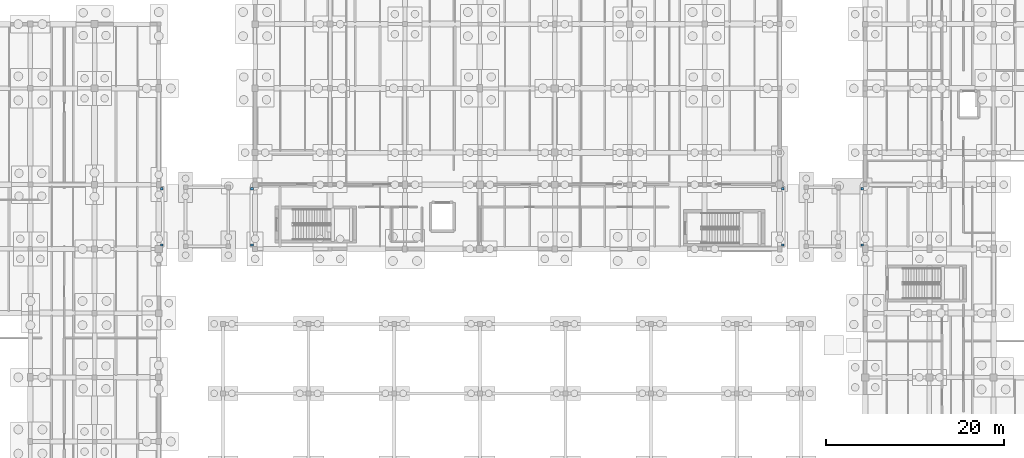
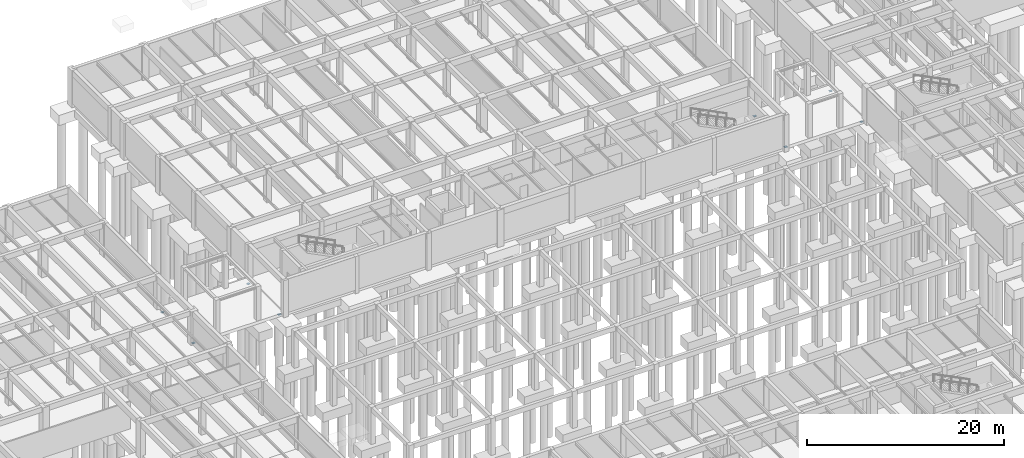
# One storey, part 53 of 63: 8 discrete accessories.
"""IFC4 building model written with IfcOpenShell, lengths in metres."""

from ifc_helpers import new_model, si_unit, direction, frame, origin, origin_2d, place, context, subcontext, project, spatial, rectangle, extrude, material, type_object, element, save


model = new_model("IFC4")

# Units and contexts
model_context = context("Model", 3, precision=1e-05, world=origin(), true_north=direction((0.0, 1.0)))
body_context = subcontext(model_context, "Body", "Model", "MODEL_VIEW")
ifc_project = project(units=[si_unit("LENGTHUNIT", "METRE"), si_unit("AREAUNIT", "SQUARE_METRE"), si_unit("VOLUMEUNIT", "CUBIC_METRE"), si_unit("PLANEANGLEUNIT", "RADIAN"), si_unit("MASSUNIT", "GRAM", prefix="KILO")], contexts=[model_context])

# Site, building, storey
site_placement = place(None, origin())
site = spatial("IfcSite", under=ifc_project, at=site_placement, CompositionType="ELEMENT")
building_placement = place(site_placement, origin())
building = spatial("IfcBuilding", under=site, at=building_placement, Name="Mazaris Harbour Polytechnic", CompositionType="ELEMENT")
storey_placement = place(building_placement, frame((0.0, 0.0, -4.5)))
storey = spatial("IfcBuildingStorey", under=building, at=storey_placement, Name="B1", CompositionType="ELEMENT", Elevation=-4.5)

# Discrete accessories
ifc_material = material(Name="Steel S355", Category="steel")
discrete_accessory_type = type_object("IfcDiscreteAccessoryType", Name="PTFE Sliding Bridge Bearing 300x250x65", PredefinedType="BRACKET", material=ifc_material)
for number, where, z_axis, x_axis, name in (
    (1, (43.550048828125, 76.050048828125, -0.445068359375), (0.0, 0.0, 1.0), (1.0, 0.0, 0.0), "PB-W2 B1 PTFE Sliding Bearing W1"),
    (2, (43.550048828125, 82.35009765625, -0.445068359375), (0.0, 0.0, 1.0), (1.0, 0.0, 0.0), "PB-W2 B1 PTFE Sliding Bearing W2"),
    (3, (53.64990234375, 76.050048828125, -0.445068359375), (0.0, 0.0, 1.0), (1.0, 0.0, 0.0), "PB-W2 B1 PTFE Sliding Bearing E1"),
    (4, (53.64990234375, 82.35009765625, -0.445068359375), (0.0, 0.0, 1.0), (1.0, 0.0, 0.0), "PB-W2 B1 PTFE Sliding Bearing E2"),
    (5, (113.14990234375, 76.050048828125, -0.445068359375), (0.0, 0.0, 1.0), (1.0, 0.0, 0.0), "PB-E2 B1 PTFE Sliding Bearing W1"),
    (6, (113.14990234375, 82.35009765625, -0.445068359375), (0.0, 0.0, 1.0), (1.0, 0.0, 0.0), "PB-E2 B1 PTFE Sliding Bearing W2"),
    (7, (122.050048828125, 76.050048828125, -0.445068359375), (0.0, 0.0, 1.0), (1.0, 0.0, 0.0), "PB-E2 B1 PTFE Sliding Bearing E1"),
    (8, (122.050048828125, 82.35009765625, -0.445068359375), (0.0, 0.0, 1.0), (1.0, 0.0, 0.0), "PB-E2 B1 PTFE Sliding Bearing E2"),
):
    element("IfcDiscreteAccessory", number, at=place(storey_placement, frame(where, z_axis=z_axis, x_axis=x_axis)), inside=storey, type_object=discrete_accessory_type, Name=name, PredefinedType="BRACKET", context=body_context, shape_type="SweptSolid", body=[
        extrude(rectangle(XDim=0.300048828125, YDim=0.25, at=origin_2d()), origin(), (0.0, 0.0, 1.0), 0.06494140625),
    ])

save(model, "model.ifc")
